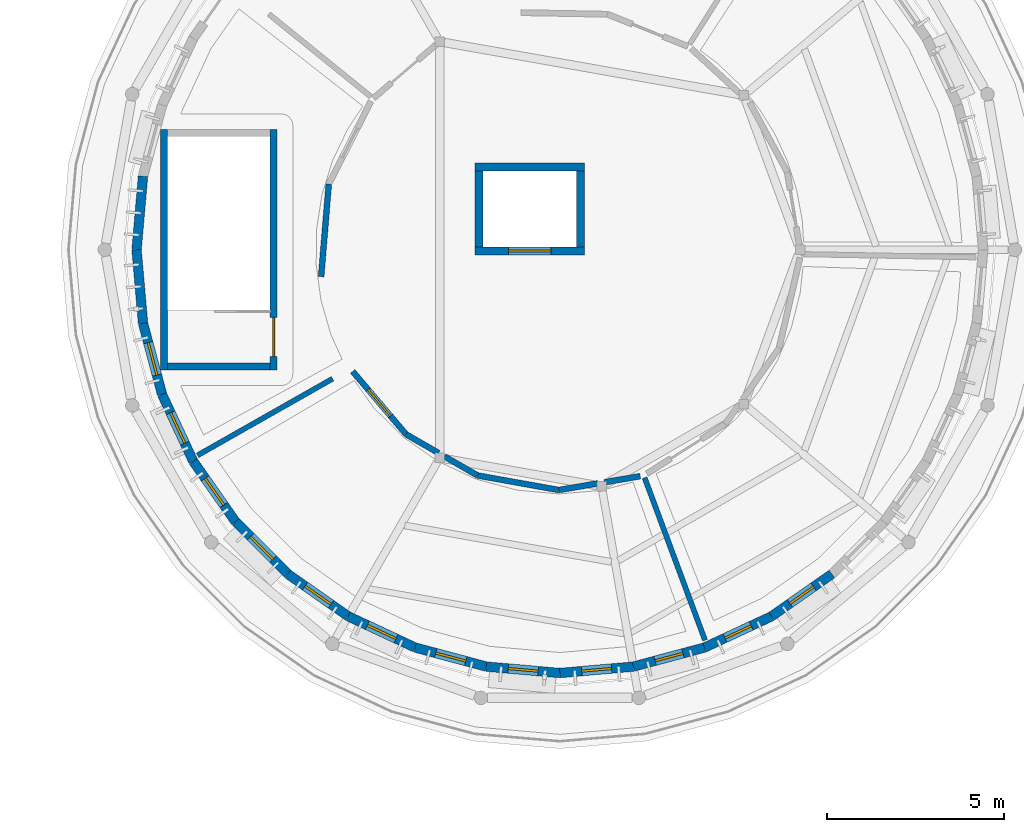
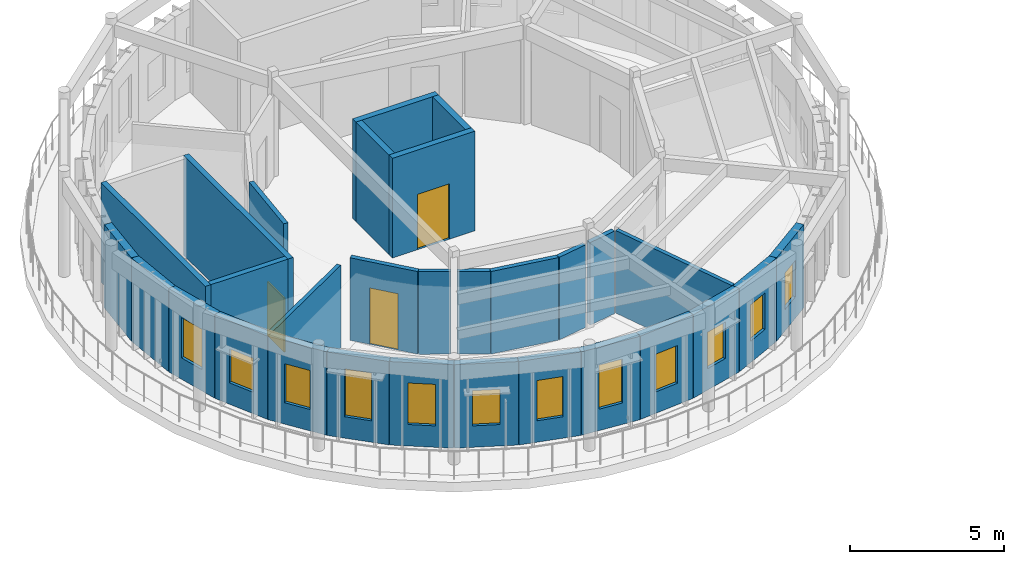
# One storey, part 8 of 14: 30 walls, 12 windows, 3 doors, 15 openings.
"""IFC4 building model written with IfcOpenShell, lengths in metres."""

from ifc_helpers import new_model, si_unit, direction, frame, frame_2d, origin, place, context, subcontext, project, spatial, rectangle, extrude, material, layer, layer_set, type_object, element, fill, save


model = new_model("IFC4")

# Units and contexts
model_context = context("Model", 3, precision=1e-05, world=origin(), true_north=direction((0.0, 1.0)))
body_context = subcontext(model_context, "Body", "Model", "MODEL_VIEW")
ifc_project = project(units=[si_unit("LENGTHUNIT", "METRE"), si_unit("AREAUNIT", "SQUARE_METRE"), si_unit("VOLUMEUNIT", "CUBIC_METRE"), si_unit("PLANEANGLEUNIT", "RADIAN"), si_unit("MASSUNIT", "GRAM", prefix="KILO")], contexts=[model_context])

# Site, building, storey
site_placement = place(None, origin())
site = spatial("IfcSite", under=ifc_project, at=site_placement, CompositionType="ELEMENT")
building_placement = place(site_placement, origin())
building = spatial("IfcBuilding", under=site, at=building_placement, Name="Aldenvaro Health Centre", CompositionType="ELEMENT")
storey_placement = place(building_placement, frame((0.0, 0.0, 21.35009765625)))
storey = spatial("IfcBuildingStorey", under=building, at=storey_placement, Name="L05", CompositionType="ELEMENT", Elevation=21.35009765625)

# Walls
ifc_material_1 = material(Name="Gypsum Stud Acoustic Assembly")
ifc_layer_1 = layer(ifc_material_1, 0.14501953125, Name="Gypsum Stud Acoustic Assembly")
ifc_layer_set_1 = layer_set([ifc_layer_1], Name="Gypsum Stud Acoustic Assembly")
wall_type_1 = type_object("IfcWallType", Name="WL-CLN-145", PredefinedType="PARTITIONING", material=ifc_layer_set_1)
wall_1_placement = place(storey_placement, frame((12.06689453125, 95.85009765625, 0.0), z_axis=(0.0, 0.0, 1.0), x_axis=(-0.869678824808, -0.493618011909, 0.0)))
element("IfcWall", 1, at=wall_1_placement, inside=storey, type_object=wall_type_1, Name="D4 L05 clinical partition 2.2", PredefinedType="PARTITIONING", context=body_context, shape_type="SweptSolid", body=[
    extrude(rectangle(XDim=4.39453125, YDim=0.14501953125, at=frame_2d((2.197265625, 0.0))), origin(), (0.0, 0.0, 1.0), 3.27880859375),
])
wall_2_placement = place(storey_placement, frame((20.89794921875, 93.048095703125, 0.0), z_axis=(0.0, 0.0, 1.0), x_axis=(0.348428829985, -0.937335239088, 0.0)))
element("IfcWall", 2, at=wall_2_placement, inside=storey, type_object=wall_type_1, Name="D4 L05 clinical partition 3.1", PredefinedType="PARTITIONING", context=body_context, shape_type="SweptSolid", body=[
    extrude(rectangle(XDim=4.90771484375, YDim=0.14501953125, at=frame_2d((2.453857421875, 0.0))), origin(), (0.0, 0.0, 1.0), 3.27880859375),
])
ifc_layer_2 = layer(ifc_material_1, 0.1650390625, Name="Gypsum Stud Acoustic Assembly")
ifc_layer_set_2 = layer_set([ifc_layer_2], Name="Gypsum Stud Acoustic Assembly")
wall_type_2 = type_object("IfcWallType", Name="WL-COR-165", PredefinedType="PARTITIONING", material=ifc_layer_set_2)
wall_3_placement = place(storey_placement, frame((11.958984375, 101.35791015625, 0.0), z_axis=(0.0, 0.0, 1.0), x_axis=(-0.082192301973, -0.996616488674, 0.0)))
element("IfcWall", 3, at=wall_3_placement, inside=storey, type_object=wall_type_2, Name="D4 L05 corridor wall 01.2", PredefinedType="PARTITIONING", context=body_context, shape_type="SweptSolid", body=[
    extrude(rectangle(XDim=2.628662109375, YDim=0.1650390625, at=frame_2d((1.314453125, 0.0))), origin(), (0.0, 0.0, 1.0), 3.27880859375),
])

# Wall, opening, door
wall_4_placement = place(storey_placement, frame((12.635986328125, 96.056884765625, 0.0), z_axis=(0.0, 0.0, 1.0), x_axis=(0.646935088341, -0.762545075044, 0.0)))
wall_4 = element("IfcWall", 4, at=wall_4_placement, inside=storey, type_object=wall_type_2, Name="D4 L05 corridor wall 02.1", PredefinedType="PARTITIONING", context=body_context, shape_type="SweptSolid", body=[
    extrude(rectangle(XDim=2.335693359375, YDim=0.1650390625, at=frame_2d((1.16796875, 0.0))), origin(), (0.0, 0.0, 1.0), 3.27880859375),
])
opening_1_placement = place(wall_4_placement, frame((0.677978515625, 0.0, 0.0)))
opening_1 = element("IfcOpeningElement", 5, at=opening_1_placement, cuts=wall_4, Name="Opening D-10", PredefinedType="OPENING", context=body_context, shape_type="SweptSolid", body=[
    extrude(rectangle(XDim=0.97998046875, YDim=2.239990234375, at=frame_2d((0.489990234375, 1.1201171875))), frame((0.0, 0.092529296875, 0.0), z_axis=(0.0, -1.0, 0.0), x_axis=(1.0, 0.0, 0.0)), (0.0, 0.0, 1.0), 0.18505859375),
])
ifc_material_2 = material(Name="Tall Clinical Timber Door", Category="wood")
door_type_1 = type_object("IfcDoorType", Name="DR-CLN-10", OperationType="NOTDEFINED", PredefinedType="DOOR", material=ifc_material_2)
door_1_placement = place(opening_1_placement, origin())
door_1 = element("IfcDoor", 6, at=door_1_placement, inside=storey, type_object=door_type_1, Name="Multidisciplinary Case Conference Room Door", OperationType="SINGLE_SWING_RIGHT", OverallHeight=2.239990234375, OverallWidth=0.97998046875, PredefinedType="DOOR", context=body_context, shape_type="SweptSolid", body=[
    extrude(rectangle(XDim=0.97998046875, YDim=2.239990234375, at=frame_2d((0.489990234375, 1.1201171875))), frame((0.0, 0.02490234375, 0.0), z_axis=(0.0, -1.0, 0.0), x_axis=(1.0, 0.0, 0.0)), (0.0, 0.0, 1.0), 0.050048828125),
])
fill(opening_1, door_1)

# Walls
wall_5_placement = place(storey_placement, frame((14.14697265625, 94.27587890625, 0.0), z_axis=(0.0, 0.0, 1.0), x_axis=(0.866913733882, -0.498458200862, 0.0)))
element("IfcWall", 7, at=wall_5_placement, inside=storey, type_object=wall_type_2, Name="D4 L05 corridor wall 02.2", PredefinedType="PARTITIONING", context=body_context, shape_type="SweptSolid", body=[
    extrude(rectangle(XDim=1.064697265625, YDim=0.1650390625, at=frame_2d((0.5322265625, 0.0))), origin(), (0.0, 0.0, 1.0), 3.27880859375),
])
wall_6_placement = place(storey_placement, frame((15.23095703125, 93.652099609375, 0.0), z_axis=(0.0, 0.0, 1.0), x_axis=(0.866967036006, -0.498365486846, 0.0)))
element("IfcWall", 8, at=wall_6_placement, inside=storey, type_object=wall_type_2, Name="D4 L05 corridor wall 02.3", PredefinedType="PARTITIONING", context=body_context, shape_type="SweptSolid", body=[
    extrude(rectangle(XDim=1.085693359375, YDim=0.1650390625, at=frame_2d((0.54296875, 0.0))), origin(), (0.0, 0.0, 1.0), 3.27880859375),
])
wall_7_placement = place(storey_placement, frame((16.172119140625, 93.111083984375, 0.0), z_axis=(0.0, 0.0, 1.0), x_axis=(0.984381019853, -0.176051150959, 0.0)))
element("IfcWall", 9, at=wall_7_placement, inside=storey, type_object=wall_type_2, Name="D4 L05 corridor wall 02.4", PredefinedType="PARTITIONING", context=body_context, shape_type="SweptSolid", body=[
    extrude(rectangle(XDim=2.335205078125, YDim=0.1650390625, at=frame_2d((1.16748046875, 0.0))), origin(), (0.0, 0.0, 1.0), 3.27880859375),
])
wall_8_placement = place(storey_placement, frame((18.470947265625, 92.699951171875, 0.0), z_axis=(0.0, 0.0, 1.0), x_axis=(0.985905603064, 0.167302545846, 0.0)))
element("IfcWall", 10, at=wall_8_placement, inside=storey, type_object=wall_type_2, Name="D4 L05 corridor wall 02.5", PredefinedType="PARTITIONING", context=body_context, shape_type="SweptSolid", body=[
    extrude(rectangle(XDim=1.117919921875, YDim=0.1650390625, at=frame_2d((0.55908203125, 0.0))), origin(), (0.0, 0.0, 1.0), 3.27880859375),
])
wall_9_placement = place(storey_placement, frame((19.756103515625, 92.91796875, 0.0), z_axis=(0.0, 0.0, 1.0), x_axis=(0.98568855246, 0.168576622189, 0.0)))
element("IfcWall", 11, at=wall_9_placement, inside=storey, type_object=wall_type_2, Name="D4 L05 corridor wall 02.6", PredefinedType="PARTITIONING", context=body_context, shape_type="SweptSolid", body=[
    extrude(rectangle(XDim=1.03271484375, YDim=0.1650390625, at=frame_2d((0.516357421875, 0.0))), origin(), (0.0, 0.0, 1.0), 3.27880859375),
])

# Wall, opening, window
ifc_material_3 = material(Name="Cross-laminated timber CLT E1", Category="wood")
ifc_layer_3 = layer(ifc_material_3, 0.27001953125, Name="Cross-laminated timber CLT E1", Category="wood")
ifc_layer_set_3 = layer_set([ifc_layer_3], Name="Cross-laminated timber CLT E1")
wall_type_3 = type_object("IfcWallType", Name="WL-EXT-270", PredefinedType="ELEMENTEDWALL", material=ifc_layer_set_3)
wall_10_placement = place(storey_placement, frame((26.200927734375, 90.322998046875, 0.0), z_axis=(0.0, 0.0, 1.0), x_axis=(-0.819155033433, -0.573572167388, 0.0)))
wall_10 = element("IfcWall", 12, at=wall_10_placement, inside=storey, type_object=wall_type_3, Name="D4 L05 exterior wall 05", PredefinedType="ELEMENTEDWALL", context=body_context, shape_type="SweptSolid", body=[
    extrude(rectangle(XDim=2.088623046875, YDim=0.27001953125, at=frame_2d((1.04443359375, 0.0))), origin(), (0.0, 0.0, 1.0), 3.31396484375),
])
opening_2_placement = place(wall_10_placement, frame((0.634033203125, 0.0, 0.85009765625)))
opening_2 = element("IfcOpeningElement", 13, at=opening_2_placement, cuts=wall_10, Name="Opening W-01", PredefinedType="OPENING", context=body_context, shape_type="SweptSolid", body=[
    extrude(rectangle(XDim=0.820068359375, YDim=1.449951171875, at=frame_2d((0.41015625, 0.72509765625))), frame((0.0, 0.14501953125, 0.0), z_axis=(0.0, -1.0, 0.0), x_axis=(1.0, 0.0, 0.0)), (0.0, 0.0, 1.0), 0.2900390625),
])
ifc_material_4 = material(Name="Thermally Broken Aluminium Low-E Glass", Category="aluminium")
window_type_1 = type_object("IfcWindowType", Name="WN-EXT-01", PartitioningType="SINGLE_PANEL", PredefinedType="WINDOW", material=ifc_material_4)
window_1_placement = place(opening_2_placement, origin())
window_1 = element("IfcWindow", 14, at=window_1_placement, inside=storey, type_object=window_type_1, Name="D4 L05 clinical window 05", OverallHeight=1.449951171875, OverallWidth=0.820068359375, PartitioningType="SINGLE_PANEL", PredefinedType="WINDOW", context=body_context, shape_type="SweptSolid", body=[
    extrude(rectangle(XDim=0.820068359375, YDim=1.449951171875, at=frame_2d((0.41015625, 0.72509765625))), frame((0.0, 0.030029296875, 0.0), z_axis=(0.0, -1.0, 0.0), x_axis=(1.0, 0.0, 0.0)), (0.0, 0.0, 1.0), 0.06005859375),
])
fill(opening_2, window_1)

wall_11_placement = place(storey_placement, frame((24.489990234375, 89.125, 0.0), z_axis=(0.0, 0.0, 1.0), x_axis=(-0.906251803004, -0.422738299131, 0.0)))
wall_11 = element("IfcWall", 15, at=wall_11_placement, inside=storey, type_object=wall_type_3, Name="D4 L05 exterior wall 06", PredefinedType="ELEMENTEDWALL", context=body_context, shape_type="SweptSolid", body=[
    extrude(rectangle(XDim=2.0888671875, YDim=0.27001953125, at=frame_2d((1.04443359375, 0.0))), origin(), (0.0, 0.0, 1.0), 3.31396484375),
])
opening_3_placement = place(wall_11_placement, frame((0.634033203125, 0.0, 0.85009765625)))
opening_3 = element("IfcOpeningElement", 16, at=opening_3_placement, cuts=wall_11, Name="Opening W-01", PredefinedType="OPENING", context=body_context, shape_type="SweptSolid", body=[
    extrude(rectangle(XDim=0.820068359375, YDim=1.449951171875, at=frame_2d((0.41015625, 0.72509765625))), frame((0.0, 0.14501953125, 0.0), z_axis=(0.0, -1.0, 0.0), x_axis=(1.0, 0.0, 0.0)), (0.0, 0.0, 1.0), 0.2900390625),
])
window_2_placement = place(opening_3_placement, origin())
window_2 = element("IfcWindow", 17, at=window_2_placement, inside=storey, type_object=window_type_1, Name="D4 L05 clinical window 06", OverallHeight=1.449951171875, OverallWidth=0.820068359375, PartitioningType="SINGLE_PANEL", PredefinedType="WINDOW", context=body_context, shape_type="SweptSolid", body=[
    extrude(rectangle(XDim=0.820068359375, YDim=1.449951171875, at=frame_2d((0.41015625, 0.72509765625))), frame((0.0, 0.030029296875, 0.0), z_axis=(0.0, -1.0, 0.0), x_axis=(1.0, 0.0, 0.0)), (0.0, 0.0, 1.0), 0.06005859375),
])
fill(opening_3, window_2)

wall_12_placement = place(storey_placement, frame((22.596923828125, 88.241943359375, 0.0), z_axis=(0.0, 0.0, 1.0), x_axis=(-0.965970487849, -0.258652308331, 0.0)))
wall_12 = element("IfcWall", 18, at=wall_12_placement, inside=storey, type_object=wall_type_3, Name="D4 L05 exterior wall 07", PredefinedType="ELEMENTEDWALL", context=body_context, shape_type="SweptSolid", body=[
    extrude(rectangle(XDim=2.087890625, YDim=0.27001953125, at=frame_2d((1.0439453125, 0.0))), origin(), (0.0, 0.0, 1.0), 3.31396484375),
])
opening_4_placement = place(wall_12_placement, frame((0.634033203125, 0.0, 0.85009765625)))
opening_4 = element("IfcOpeningElement", 19, at=opening_4_placement, cuts=wall_12, Name="Opening W-01", PredefinedType="OPENING", context=body_context, shape_type="SweptSolid", body=[
    extrude(rectangle(XDim=0.820068359375, YDim=1.449951171875, at=frame_2d((0.41015625, 0.72509765625))), frame((0.0, 0.14501953125, 0.0), z_axis=(0.0, -1.0, 0.0), x_axis=(1.0, 0.0, 0.0)), (0.0, 0.0, 1.0), 0.2900390625),
])
window_3_placement = place(opening_4_placement, origin())
window_3 = element("IfcWindow", 20, at=window_3_placement, inside=storey, type_object=window_type_1, Name="D4 L05 clinical window 07", OverallHeight=1.449951171875, OverallWidth=0.820068359375, PartitioningType="SINGLE_PANEL", PredefinedType="WINDOW", context=body_context, shape_type="SweptSolid", body=[
    extrude(rectangle(XDim=0.820068359375, YDim=1.449951171875, at=frame_2d((0.41015625, 0.72509765625))), frame((0.0, 0.030029296875, 0.0), z_axis=(0.0, -1.0, 0.0), x_axis=(1.0, 0.0, 0.0)), (0.0, 0.0, 1.0), 0.06005859375),
])
fill(opening_4, window_3)

wall_13_placement = place(storey_placement, frame((20.580078125, 87.701904296875, 0.0), z_axis=(0.0, 0.0, 1.0), x_axis=(-0.996198792396, -0.087108931964, 0.0)))
wall_13 = element("IfcWall", 21, at=wall_13_placement, inside=storey, type_object=wall_type_3, Name="D4 L05 exterior wall 08", PredefinedType="ELEMENTEDWALL", context=body_context, shape_type="SweptSolid", body=[
    extrude(rectangle(XDim=2.088134765625, YDim=0.27001953125, at=frame_2d((1.0439453125, 0.0))), origin(), (0.0, 0.0, 1.0), 3.31396484375),
])
opening_5_placement = place(wall_13_placement, frame((0.618896484375, 0.0, 0.85009765625)))
opening_5 = element("IfcOpeningElement", 22, at=opening_5_placement, cuts=wall_13, Name="Opening W-02", PredefinedType="OPENING", context=body_context, shape_type="SweptSolid", body=[
    extrude(rectangle(XDim=0.85009765625, YDim=1.5, at=frame_2d((0.425048828125, 0.75))), frame((0.0, 0.14501953125, 0.0), z_axis=(0.0, -1.0, 0.0), x_axis=(1.0, 0.0, 0.0)), (0.0, 0.0, 1.0), 0.2900390625),
])
window_type_2 = type_object("IfcWindowType", Name="WN-EXT-02", PartitioningType="SINGLE_PANEL", PredefinedType="WINDOW", material=ifc_material_4)
window_4_placement = place(opening_5_placement, origin())
window_4 = element("IfcWindow", 23, at=window_4_placement, inside=storey, type_object=window_type_2, Name="D4 L05 clinical window 08", OverallHeight=1.5, OverallWidth=0.85009765625, PartitioningType="SINGLE_PANEL", PredefinedType="WINDOW", context=body_context, shape_type="SweptSolid", body=[
    extrude(rectangle(XDim=0.85009765625, YDim=1.5, at=frame_2d((0.425048828125, 0.75))), frame((0.0, 0.030029296875, 0.0), z_axis=(0.0, -1.0, 0.0), x_axis=(1.0, 0.0, 0.0)), (0.0, 0.0, 1.0), 0.06005859375),
])
fill(opening_5, window_4)

wall_14_placement = place(storey_placement, frame((18.5, 87.52001953125, 0.0), z_axis=(0.0, 0.0, 1.0), x_axis=(-0.996198792396, 0.087108931964, 0.0)))
wall_14 = element("IfcWall", 24, at=wall_14_placement, inside=storey, type_object=wall_type_3, Name="D4 L05 exterior wall 09", PredefinedType="ELEMENTEDWALL", context=body_context, shape_type="SweptSolid", body=[
    extrude(rectangle(XDim=2.088134765625, YDim=0.27001953125, at=frame_2d((1.0439453125, 0.0))), origin(), (0.0, 0.0, 1.0), 3.31396484375),
])
opening_6_placement = place(wall_14_placement, frame((0.618896484375, 0.0, 0.85009765625)))
opening_6 = element("IfcOpeningElement", 25, at=opening_6_placement, cuts=wall_14, Name="Opening W-03", PredefinedType="OPENING", context=body_context, shape_type="SweptSolid", body=[
    extrude(rectangle(XDim=0.85009765625, YDim=1.75, at=frame_2d((0.425048828125, 0.875))), frame((0.0, 0.14501953125, 0.0), z_axis=(0.0, -1.0, 0.0), x_axis=(1.0, 0.0, 0.0)), (0.0, 0.0, 1.0), 0.2900390625),
])
window_type_3 = type_object("IfcWindowType", Name="WN-EXT-03", PartitioningType="SINGLE_PANEL", PredefinedType="WINDOW", material=ifc_material_4)
window_5_placement = place(opening_6_placement, origin())
window_5 = element("IfcWindow", 26, at=window_5_placement, inside=storey, type_object=window_type_3, Name="D4 L05 clinical window 09", OverallHeight=1.75, OverallWidth=0.85009765625, PartitioningType="SINGLE_PANEL", PredefinedType="WINDOW", context=body_context, shape_type="SweptSolid", body=[
    extrude(rectangle(XDim=0.85009765625, YDim=1.75, at=frame_2d((0.425048828125, 0.875))), frame((0.0, 0.030029296875, 0.0), z_axis=(0.0, -1.0, 0.0), x_axis=(1.0, 0.0, 0.0)), (0.0, 0.0, 1.0), 0.06005859375),
])
fill(opening_6, window_5)

wall_15_placement = place(storey_placement, frame((16.419921875, 87.701904296875, 0.0), z_axis=(0.0, 0.0, 1.0), x_axis=(-0.965970487849, 0.258652308331, 0.0)))
wall_15 = element("IfcWall", 27, at=wall_15_placement, inside=storey, type_object=wall_type_3, Name="D4 L05 exterior wall 10", PredefinedType="ELEMENTEDWALL", context=body_context, shape_type="SweptSolid", body=[
    extrude(rectangle(XDim=2.087890625, YDim=0.27001953125, at=frame_2d((1.0439453125, 0.0))), origin(), (0.0, 0.0, 1.0), 3.31396484375),
])
opening_7_placement = place(wall_15_placement, frame((0.60400390625, 0.0, 0.85009765625)))
opening_7 = element("IfcOpeningElement", 28, at=opening_7_placement, cuts=wall_15, Name="Opening W-04", PredefinedType="OPENING", context=body_context, shape_type="SweptSolid", body=[
    extrude(rectangle(XDim=0.8798828125, YDim=1.60009765625, at=frame_2d((0.43994140625, 0.800048828125))), frame((0.0, 0.14501953125, 0.0), z_axis=(0.0, -1.0, 0.0), x_axis=(1.0, 0.0, 0.0)), (0.0, 0.0, 1.0), 0.2900390625),
])
window_type_4 = type_object("IfcWindowType", Name="WN-EXT-04", PartitioningType="SINGLE_PANEL", PredefinedType="WINDOW", material=ifc_material_4)
window_6_placement = place(opening_7_placement, origin())
window_6 = element("IfcWindow", 29, at=window_6_placement, inside=storey, type_object=window_type_4, Name="D4 L05 clinical window 10", OverallHeight=1.60009765625, OverallWidth=0.8798828125, PartitioningType="SINGLE_PANEL", PredefinedType="WINDOW", context=body_context, shape_type="SweptSolid", body=[
    extrude(rectangle(XDim=0.8798828125, YDim=1.60009765625, at=frame_2d((0.43994140625, 0.800048828125))), frame((0.0, 0.030029296875, 0.0), z_axis=(0.0, -1.0, 0.0), x_axis=(1.0, 0.0, 0.0)), (0.0, 0.0, 1.0), 0.06005859375),
])
fill(opening_7, window_6)

wall_16_placement = place(storey_placement, frame((14.403076171875, 88.241943359375, 0.0), z_axis=(0.0, 0.0, 1.0), x_axis=(-0.906251803004, 0.422738299131, 0.0)))
wall_16 = element("IfcWall", 30, at=wall_16_placement, inside=storey, type_object=wall_type_3, Name="D4 L05 exterior wall 11", PredefinedType="ELEMENTEDWALL", context=body_context, shape_type="SweptSolid", body=[
    extrude(rectangle(XDim=2.0888671875, YDim=0.27001953125, at=frame_2d((1.04443359375, 0.0))), origin(), (0.0, 0.0, 1.0), 3.31396484375),
])
opening_8_placement = place(wall_16_placement, frame((0.593994140625, 0.0, 0.85009765625)))
opening_8 = element("IfcOpeningElement", 31, at=opening_8_placement, cuts=wall_16, Name="Opening W-05", PredefinedType="OPENING", context=body_context, shape_type="SweptSolid", body=[
    extrude(rectangle(XDim=0.89990234375, YDim=1.39990234375, at=frame_2d((0.449951171875, 0.699951171875))), frame((0.0, 0.14501953125, 0.0), z_axis=(0.0, -1.0, 0.0), x_axis=(1.0, 0.0, 0.0)), (0.0, 0.0, 1.0), 0.2900390625),
])
window_type_5 = type_object("IfcWindowType", Name="WN-EXT-05", PartitioningType="SINGLE_PANEL", PredefinedType="WINDOW", material=ifc_material_4)
window_7_placement = place(opening_8_placement, origin())
window_7 = element("IfcWindow", 32, at=window_7_placement, inside=storey, type_object=window_type_5, Name="D4 L05 clinical window 11", OverallHeight=1.39990234375, OverallWidth=0.89990234375, PartitioningType="SINGLE_PANEL", PredefinedType="WINDOW", context=body_context, shape_type="SweptSolid", body=[
    extrude(rectangle(XDim=0.89990234375, YDim=1.39990234375, at=frame_2d((0.449951171875, 0.699951171875))), frame((0.0, 0.030029296875, 0.0), z_axis=(0.0, -1.0, 0.0), x_axis=(1.0, 0.0, 0.0)), (0.0, 0.0, 1.0), 0.06005859375),
])
fill(opening_8, window_7)

wall_17_placement = place(storey_placement, frame((12.510009765625, 89.125, 0.0), z_axis=(0.0, 0.0, 1.0), x_axis=(-0.819155033433, 0.573572167388, 0.0)))
wall_17 = element("IfcWall", 33, at=wall_17_placement, inside=storey, type_object=wall_type_3, Name="D4 L05 exterior wall 12", PredefinedType="ELEMENTEDWALL", context=body_context, shape_type="SweptSolid", body=[
    extrude(rectangle(XDim=2.088623046875, YDim=0.27001953125, at=frame_2d((1.04443359375, 0.0))), origin(), (0.0, 0.0, 1.0), 3.31396484375),
])
opening_9_placement = place(wall_17_placement, frame((0.593994140625, 0.0, 0.85009765625)))
opening_9 = element("IfcOpeningElement", 34, at=opening_9_placement, cuts=wall_17, Name="Opening W-06", PredefinedType="OPENING", context=body_context, shape_type="SweptSolid", body=[
    extrude(rectangle(XDim=0.89990234375, YDim=1.64990234375, at=frame_2d((0.449951171875, 0.824951171875))), frame((0.0, 0.14501953125, 0.0), z_axis=(0.0, -1.0, 0.0), x_axis=(1.0, 0.0, 0.0)), (0.0, 0.0, 1.0), 0.2900390625),
])
window_type_6 = type_object("IfcWindowType", Name="WN-EXT-06", PartitioningType="SINGLE_PANEL", PredefinedType="WINDOW", material=ifc_material_4)
window_8_placement = place(opening_9_placement, origin())
window_8 = element("IfcWindow", 35, at=window_8_placement, inside=storey, type_object=window_type_6, Name="D4 L05 clinical window 12", OverallHeight=1.64990234375, OverallWidth=0.89990234375, PartitioningType="SINGLE_PANEL", PredefinedType="WINDOW", context=body_context, shape_type="SweptSolid", body=[
    extrude(rectangle(XDim=0.89990234375, YDim=1.64990234375, at=frame_2d((0.449951171875, 0.824951171875))), frame((0.0, 0.030029296875, 0.0), z_axis=(0.0, -1.0, 0.0), x_axis=(1.0, 0.0, 0.0)), (0.0, 0.0, 1.0), 0.06005859375),
])
fill(opening_9, window_8)

wall_18_placement = place(storey_placement, frame((10.799072265625, 90.322998046875, 0.0), z_axis=(0.0, 0.0, 1.0), x_axis=(-0.707106781187, 0.707106781187, 0.0)))
wall_18 = element("IfcWall", 36, at=wall_18_placement, inside=storey, type_object=wall_type_3, Name="D4 L05 exterior wall 13", PredefinedType="ELEMENTEDWALL", context=body_context, shape_type="SweptSolid", body=[
    extrude(rectangle(XDim=2.08740234375, YDim=0.27001953125, at=frame_2d((1.043701171875, 0.0))), origin(), (0.0, 0.0, 1.0), 3.31396484375),
])
opening_10_placement = place(wall_18_placement, frame((0.593994140625, 0.0, 0.85009765625)))
opening_10 = element("IfcOpeningElement", 37, at=opening_10_placement, cuts=wall_18, Name="Opening W-07", PredefinedType="OPENING", context=body_context, shape_type="SweptSolid", body=[
    extrude(rectangle(XDim=0.89990234375, YDim=1.89990234375, at=frame_2d((0.449951171875, 0.949951171875))), frame((0.0, 0.14501953125, 0.0), z_axis=(0.0, -1.0, 0.0), x_axis=(1.0, 0.0, 0.0)), (0.0, 0.0, 1.0), 0.2900390625),
])
window_type_7 = type_object("IfcWindowType", Name="WN-EXT-07", PartitioningType="SINGLE_PANEL", PredefinedType="WINDOW", material=ifc_material_4)
window_9_placement = place(opening_10_placement, origin())
window_9 = element("IfcWindow", 38, at=window_9_placement, inside=storey, type_object=window_type_7, Name="D4 L05 clinical window 13", OverallHeight=1.89990234375, OverallWidth=0.89990234375, PartitioningType="SINGLE_PANEL", PredefinedType="WINDOW", context=body_context, shape_type="SweptSolid", body=[
    extrude(rectangle(XDim=0.89990234375, YDim=1.89990234375, at=frame_2d((0.449951171875, 0.949951171875))), frame((0.0, 0.030029296875, 0.0), z_axis=(0.0, -1.0, 0.0), x_axis=(1.0, 0.0, 0.0)), (0.0, 0.0, 1.0), 0.06005859375),
])
fill(opening_10, window_9)

wall_19_placement = place(storey_placement, frame((9.322998046875, 91.799072265625, 0.0), z_axis=(0.0, 0.0, 1.0), x_axis=(-0.573572167388, 0.819155033433, 0.0)))
wall_19 = element("IfcWall", 39, at=wall_19_placement, inside=storey, type_object=wall_type_3, Name="D4 L05 exterior wall 14", PredefinedType="ELEMENTEDWALL", context=body_context, shape_type="SweptSolid", body=[
    extrude(rectangle(XDim=2.088623046875, YDim=0.27001953125, at=frame_2d((1.04443359375, 0.0))), origin(), (0.0, 0.0, 1.0), 3.31396484375),
])
opening_11_placement = place(wall_19_placement, frame((0.583984375, 0.0, 0.85009765625)))
opening_11 = element("IfcOpeningElement", 40, at=opening_11_placement, cuts=wall_19, Name="Opening W-08", PredefinedType="OPENING", context=body_context, shape_type="SweptSolid", body=[
    extrude(rectangle(XDim=0.919921875, YDim=1.550048828125, at=frame_2d((0.4599609375, 0.77490234375))), frame((0.0, 0.14501953125, 0.0), z_axis=(0.0, -1.0, 0.0), x_axis=(1.0, 0.0, 0.0)), (0.0, 0.0, 1.0), 0.2900390625),
])
window_type_8 = type_object("IfcWindowType", Name="WN-EXT-08", PartitioningType="SINGLE_PANEL", PredefinedType="WINDOW", material=ifc_material_4)
window_10_placement = place(opening_11_placement, origin())
window_10 = element("IfcWindow", 41, at=window_10_placement, inside=storey, type_object=window_type_8, Name="D4 L05 clinical window 14", OverallHeight=1.550048828125, OverallWidth=0.919921875, PartitioningType="SINGLE_PANEL", PredefinedType="WINDOW", context=body_context, shape_type="SweptSolid", body=[
    extrude(rectangle(XDim=0.919921875, YDim=1.550048828125, at=frame_2d((0.4599609375, 0.77490234375))), frame((0.0, 0.030029296875, 0.0), z_axis=(0.0, -1.0, 0.0), x_axis=(1.0, 0.0, 0.0)), (0.0, 0.0, 1.0), 0.06005859375),
])
fill(opening_11, window_10)

wall_20_placement = place(storey_placement, frame((8.125, 93.510009765625, 0.0), z_axis=(0.0, 0.0, 1.0), x_axis=(-0.422738299131, 0.906251803004, 0.0)))
wall_20 = element("IfcWall", 42, at=wall_20_placement, inside=storey, type_object=wall_type_3, Name="D4 L05 exterior wall 15", PredefinedType="ELEMENTEDWALL", context=body_context, shape_type="SweptSolid", body=[
    extrude(rectangle(XDim=2.0888671875, YDim=0.27001953125, at=frame_2d((1.04443359375, 0.0))), origin(), (0.0, 0.0, 1.0), 3.31396484375),
])
opening_12_placement = place(wall_20_placement, frame((0.569091796875, 0.0, 0.85009765625)))
opening_12 = element("IfcOpeningElement", 43, at=opening_12_placement, cuts=wall_20, Name="Opening W-09", PredefinedType="OPENING", context=body_context, shape_type="SweptSolid", body=[
    extrude(rectangle(XDim=0.949951171875, YDim=1.35009765625, at=frame_2d((0.47509765625, 0.675048828125))), frame((0.0, 0.14501953125, 0.0), z_axis=(0.0, -1.0, 0.0), x_axis=(1.0, 0.0, 0.0)), (0.0, 0.0, 1.0), 0.2900390625),
])
window_type_9 = type_object("IfcWindowType", Name="WN-EXT-09", PartitioningType="SINGLE_PANEL", PredefinedType="WINDOW", material=ifc_material_4)
window_11_placement = place(opening_12_placement, origin())
window_11 = element("IfcWindow", 44, at=window_11_placement, inside=storey, type_object=window_type_9, Name="D4 L05 clinical window 15", OverallHeight=1.35009765625, OverallWidth=0.949951171875, PartitioningType="SINGLE_PANEL", PredefinedType="WINDOW", context=body_context, shape_type="SweptSolid", body=[
    extrude(rectangle(XDim=0.949951171875, YDim=1.35009765625, at=frame_2d((0.47509765625, 0.675048828125))), frame((0.0, 0.030029296875, 0.0), z_axis=(0.0, -1.0, 0.0), x_axis=(1.0, 0.0, 0.0)), (0.0, 0.0, 1.0), 0.06005859375),
])
fill(opening_12, window_11)

wall_21_placement = place(storey_placement, frame((7.241943359375, 95.403076171875, 0.0), z_axis=(0.0, 0.0, 1.0), x_axis=(-0.258652308331, 0.965970487849, 0.0)))
wall_21 = element("IfcWall", 45, at=wall_21_placement, inside=storey, type_object=wall_type_3, Name="D4 L05 exterior wall 16", PredefinedType="ELEMENTEDWALL", context=body_context, shape_type="SweptSolid", body=[
    extrude(rectangle(XDim=2.087890625, YDim=0.27001953125, at=frame_2d((1.0439453125, 0.0))), origin(), (0.0, 0.0, 1.0), 3.31396484375),
])
opening_13_placement = place(wall_21_placement, frame((0.569091796875, 0.0, 0.85009765625)))
opening_13 = element("IfcOpeningElement", 46, at=opening_13_placement, cuts=wall_21, Name="Opening W-10", PredefinedType="OPENING", context=body_context, shape_type="SweptSolid", body=[
    extrude(rectangle(XDim=0.949951171875, YDim=1.60009765625, at=frame_2d((0.47509765625, 0.800048828125))), frame((0.0, 0.14501953125, 0.0), z_axis=(0.0, -1.0, 0.0), x_axis=(1.0, 0.0, 0.0)), (0.0, 0.0, 1.0), 0.2900390625),
])
window_type_10 = type_object("IfcWindowType", Name="WN-EXT-10", PartitioningType="SINGLE_PANEL", PredefinedType="WINDOW", material=ifc_material_4)
window_12_placement = place(opening_13_placement, origin())
window_12 = element("IfcWindow", 47, at=window_12_placement, inside=storey, type_object=window_type_10, Name="D4 L05 clinical window 16", OverallHeight=1.60009765625, OverallWidth=0.949951171875, PartitioningType="SINGLE_PANEL", PredefinedType="WINDOW", context=body_context, shape_type="SweptSolid", body=[
    extrude(rectangle(XDim=0.949951171875, YDim=1.60009765625, at=frame_2d((0.47509765625, 0.800048828125))), frame((0.0, 0.030029296875, 0.0), z_axis=(0.0, -1.0, 0.0), x_axis=(1.0, 0.0, 0.0)), (0.0, 0.0, 1.0), 0.06005859375),
])
fill(opening_13, window_12)

# Walls
for number, where, z_axis, x_axis, name in (
    (48, (6.701904296875, 97.419921875, 0.0), (0.0, 0.0, 1.0), (-0.087108931964, 0.996198792396, 0.0), "D4 L05 exterior wall 17"),
    (49, (6.52001953125, 99.5, 0.0), (0.0, 0.0, 1.0), (0.087108931964, 0.996198792396, 0.0), "D4 L05 exterior wall 18"),
):
    element("IfcWall", number, at=place(storey_placement, frame(where, z_axis=z_axis, x_axis=x_axis)), inside=storey, type_object=wall_type_3, Name=name, PredefinedType="ELEMENTEDWALL", context=body_context, shape_type="SweptSolid", body=[
        extrude(rectangle(XDim=2.088134765625, YDim=0.27001953125, at=frame_2d((1.0439453125, 0.0))), origin(), (0.0, 0.0, 1.0), 3.31396484375),
    ])

# Wall, opening, door
ifc_material_5 = material(Name="Concrete f'c 40 MPa", Category="concrete")
ifc_layer_4 = layer(ifc_material_5, 0.199951171875, Name="Concrete f'c 40 MPa", Category="concrete")
ifc_layer_set_4 = layer_set([ifc_layer_4], Name="Concrete f'c 40 MPa")
wall_type_4 = type_object("IfcWallType", Name="WL-SHAFT-200", PredefinedType="SHEAR", material=ifc_layer_set_4)
wall_22_placement = place(storey_placement, frame((10.39990234375, 96.10009765625, 0.0), z_axis=(0.0, 0.0, 1.0), x_axis=(0.0, 1.0, 0.0)))
wall_22 = element("IfcWall", 50, at=wall_22_placement, inside=storey, type_object=wall_type_4, Name="ST-08 L05 inner core wall", PredefinedType="SHEAR", context=body_context, shape_type="SweptSolid", body=[
    extrude(rectangle(XDim=6.7998046875, YDim=0.199951171875, at=frame_2d((3.39990234375, 0.0))), origin(), (0.0, 0.0, 1.0), 3.9599609375),
])
opening_14_placement = place(wall_22_placement, frame((0.3798828125, 0.0, 0.0)))
opening_14 = element("IfcOpeningElement", 51, at=opening_14_placement, cuts=wall_22, Name="Opening FD-01", PredefinedType="OPENING", context=body_context, shape_type="SweptSolid", body=[
    extrude(rectangle(XDim=1.10009765625, YDim=2.14990234375, at=frame_2d((0.550048828125, 1.074951171875))), frame((0.0, 0.10986328125, 0.0), z_axis=(0.0, -1.0, 0.0), x_axis=(1.0, 0.0, 0.0)), (0.0, 0.0, 1.0), 0.219970703125),
])
ifc_material_6 = material(Name="Fire-Rated Steel Door Assembly", Category="steel")
door_type_2 = type_object("IfcDoorType", Name="DR-STAIR-110", OperationType="NOTDEFINED", PredefinedType="DOOR", material=ifc_material_6)
door_2_placement = place(opening_14_placement, origin())
door_2 = element("IfcDoor", 52, at=door_2_placement, inside=storey, type_object=door_type_2, Name="ST-08 L05 fire stair door", OperationType="SINGLE_SWING_RIGHT", OverallHeight=2.14990234375, OverallWidth=1.10009765625, PredefinedType="DOOR", context=body_context, shape_type="SweptSolid", body=[
    extrude(rectangle(XDim=1.10009765625, YDim=2.14990234375, at=frame_2d((0.550048828125, 1.074951171875))), frame((0.0, 0.02490234375, 0.0), z_axis=(0.0, -1.0, 0.0), x_axis=(1.0, 0.0, 0.0)), (0.0, 0.0, 1.0), 0.050048828125),
])
fill(opening_14, door_2)

# Walls
wall_23_placement = place(storey_placement, frame((7.300048828125, 96.10009765625, 0.0), z_axis=(0.0, 0.0, 1.0), x_axis=(0.0, 1.0, 0.0)))
element("IfcWall", 53, at=wall_23_placement, inside=storey, type_object=wall_type_4, Name="ST-08 L05 core wall OUT", PredefinedType="SHEAR", context=body_context, shape_type="SweptSolid", body=[
    extrude(rectangle(XDim=6.7998046875, YDim=0.199951171875, at=frame_2d((3.39990234375, 0.0))), origin(), (0.0, 0.0, 1.0), 3.9599609375),
])
wall_24_placement = place(storey_placement, frame((10.300048828125, 96.199951171875, 0.0), z_axis=(0.0, 0.0, 1.0), x_axis=(-1.0, 0.0, 0.0)))
element("IfcWall", 54, at=wall_24_placement, inside=storey, type_object=wall_type_4, Name="ST-08 L05 core wall L", PredefinedType="SHEAR", context=body_context, shape_type="SweptSolid", body=[
    extrude(rectangle(XDim=2.900146484375, YDim=0.199951171875, at=frame_2d((1.4501953125, 0.0))), origin(), (0.0, 0.0, 1.0), 3.9599609375),
])

# Wall, opening, door
ifc_layer_5 = layer(ifc_material_5, 0.22509765625, Name="Concrete f'c 40 MPa", Category="concrete")
ifc_layer_set_5 = layer_set([ifc_layer_5], Name="Concrete f'c 40 MPa")
wall_type_5 = type_object("IfcWallType", Name="WL-SHAFT-225", PredefinedType="SHEAR", material=ifc_layer_set_5)
wall_25_placement = place(storey_placement, frame((16.10009765625, 99.462890625, 0.0), z_axis=(0.0, 0.0, 1.0), x_axis=(1.0, 0.0, 0.0)))
wall_25 = element("IfcWall", 55, at=wall_25_placement, inside=storey, type_object=wall_type_5, Name="LF-04 L05 lift shaft front wall", PredefinedType="SHEAR", context=body_context, shape_type="SweptSolid", body=[
    extrude(rectangle(XDim=3.099853515625, YDim=0.22509765625, at=frame_2d((1.5498046875, 0.0))), origin(), (0.0, 0.0, 1.0), 3.9599609375),
])
opening_15_placement = place(wall_25_placement, frame((0.949951171875, 0.0, 0.0)))
opening_15 = element("IfcOpeningElement", 56, at=opening_15_placement, cuts=wall_25, Name="Opening LD-01", PredefinedType="OPENING", context=body_context, shape_type="SweptSolid", body=[
    extrude(rectangle(XDim=1.199951171875, YDim=2.199951171875, at=frame_2d((0.60009765625, 1.10009765625))), frame((0.0, 0.12255859375, 0.0), z_axis=(0.0, -1.0, 0.0), x_axis=(1.0, 0.0, 0.0)), (0.0, 0.0, 1.0), 0.2451171875),
])
ifc_material_7 = material(Name="Stainless Steel Lift Landing Door", Category="steel")
door_type_3 = type_object("IfcDoorType", Name="DR-LIFT-120", OperationType="DOUBLE_DOOR_SLIDING", PredefinedType="DOOR", material=ifc_material_7)
door_3_placement = place(opening_15_placement, origin())
door_3 = element("IfcDoor", 57, at=door_3_placement, inside=storey, type_object=door_type_3, Name="Lift LF-04 L05 Sliding Landing Door", OperationType="DOUBLE_DOOR_SLIDING", OverallHeight=2.199951171875, OverallWidth=1.199951171875, PredefinedType="DOOR", context=body_context, shape_type="SweptSolid", body=[
    extrude(rectangle(XDim=1.199951171875, YDim=2.199951171875, at=frame_2d((0.60009765625, 1.10009765625))), frame((0.0, 0.02490234375, 0.0), z_axis=(0.0, -1.0, 0.0), x_axis=(1.0, 0.0, 0.0)), (0.0, 0.0, 1.0), 0.050048828125),
])
fill(opening_15, door_3)

# Walls
wall_26_placement = place(storey_placement, frame((16.10009765625, 101.837890625, 0.0), z_axis=(0.0, 0.0, 1.0), x_axis=(1.0, 0.0, 0.0)))
element("IfcWall", 58, at=wall_26_placement, inside=storey, type_object=wall_type_5, Name="LF-04 L05 lift shaft rear wall", PredefinedType="SHEAR", context=body_context, shape_type="SweptSolid", body=[
    extrude(rectangle(XDim=3.099853515625, YDim=0.22509765625, at=frame_2d((1.5498046875, 0.0))), origin(), (0.0, 0.0, 1.0), 3.9599609375),
])
for number, where, z_axis, x_axis, name in (
    (59, (16.2119140625, 99.574951171875, 0.0), (0.0, 0.0, 1.0), (0.0, 1.0, 0.0), "LF-04 L05 lift shaft side wall L"),
    (60, (19.0869140625, 99.574951171875, 0.0), (0.0, 0.0, 1.0), (0.0, 1.0, 0.0), "LF-04 L05 lift shaft side wall R"),
):
    element("IfcWall", number, at=place(storey_placement, frame(where, z_axis=z_axis, x_axis=x_axis)), inside=storey, type_object=wall_type_5, Name=name, PredefinedType="SHEAR", context=body_context, shape_type="SweptSolid", body=[
        extrude(rectangle(XDim=2.150146484375, YDim=0.22509765625, at=frame_2d((1.0751953125, 0.0))), origin(), (0.0, 0.0, 1.0), 3.9599609375),
    ])

save(model, "model.ifc")
